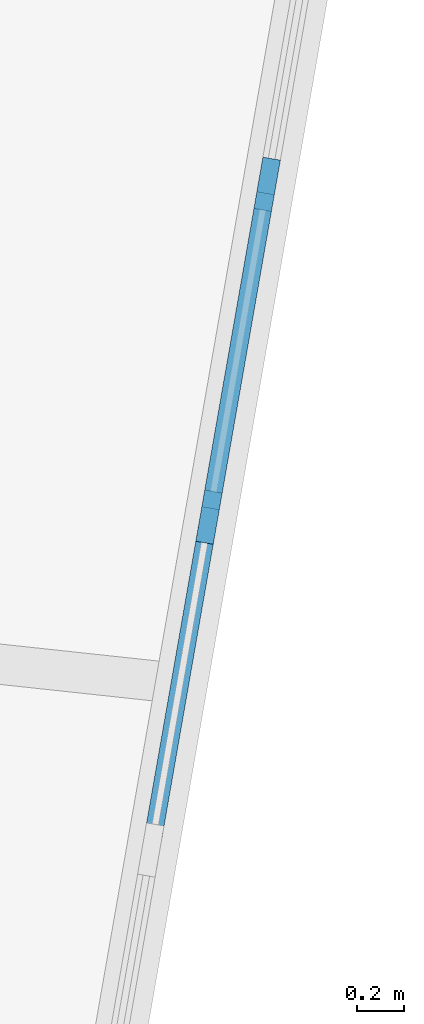
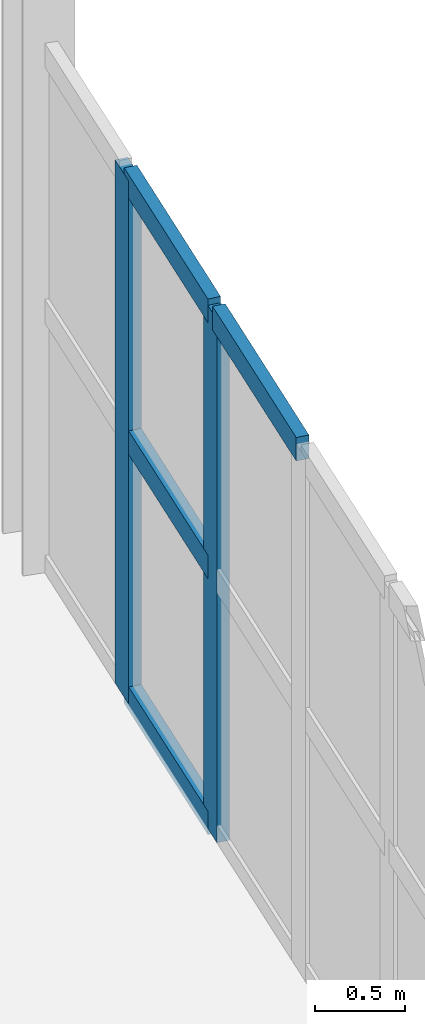
# One storey, part 55 of 161: 6 members, 1 element without a shape of its own.
"""IFC4 building model written with IfcOpenShell, lengths in metres."""

from ifc_helpers import new_model, si_unit, direction, frame, origin, origin_2d, place, context, subcontext, project, spatial, rectangle, extrude, material, material_profile, profile_set, type_object, element, aggregate, save


model = new_model("IFC4")

# Units and contexts
model_context = context("Model", 3, precision=1e-05, world=origin(), true_north=direction((0.0, 1.0)))
body_context = subcontext(model_context, "Body", "Model", "MODEL_VIEW")
ifc_project = project(units=[si_unit("LENGTHUNIT", "METRE"), si_unit("AREAUNIT", "SQUARE_METRE"), si_unit("VOLUMEUNIT", "CUBIC_METRE"), si_unit("PLANEANGLEUNIT", "RADIAN"), si_unit("MASSUNIT", "GRAM", prefix="KILO")], contexts=[model_context])

# Site, building, storey
site_placement = place(None, origin())
site = spatial("IfcSite", under=ifc_project, at=site_placement, CompositionType="ELEMENT")
building_placement = place(site_placement, origin())
building = spatial("IfcBuilding", under=site, at=building_placement, Name="Kildeholm Park Wholesale Market", CompositionType="ELEMENT")
storey_placement = place(building_placement, frame((0.0, 0.0, 5.39990234375)))
storey = spatial("IfcBuildingStorey", under=building, at=storey_placement, Name="L01", CompositionType="ELEMENT", Elevation=5.39990234375)

# Curtain wall, members
ifc_material_1 = material(Name="Anodised aluminium and low-E double-glazed glass", Category="aluminium")
curtain_wall_type = type_object("IfcCurtainWallType", Name="Market hall glazed arcade stick curtain wall CW-01", PredefinedType="NOTDEFINED", material=ifc_material_1)
curtain_wall_placement = place(storey_placement, origin())
curtain_wall = element("IfcCurtainWall", 1, at=curtain_wall_placement, inside=storey, type_object=curtain_wall_type, Name="Curtain wall CW-V1-IN1-11 CW-0057", PredefinedType="NOTDEFINED")
ifc_material_2 = material(Name="Anodised aluminium", Category="aluminium")
ifc_material_profile_1 = material_profile(ifc_material_2, rectangle(XDim=0.074951171875, YDim=0.219970703125, at=origin_2d()), Name="CWM 75x220")
ifc_profile_set_1 = profile_set([ifc_material_profile_1], Name="Anodised aluminium")
member_type_1 = type_object("IfcMemberType", Name="Curtain-wall mullion CWM-2 CWM 75x220", PredefinedType="MULLION", material=ifc_profile_set_1)
member_1_placement = place(storey_placement, frame((63.48388671875, 95.171142578125, 0.0), z_axis=(0.0, 0.0, 1.0), x_axis=(0.985073802851, -0.172132515628, 0.0)))
member_1 = element("IfcMember", 2, at=member_1_placement, type_object=member_type_1, Name="CW-01 mullion 2 MEM-1955", PredefinedType="MULLION", context=body_context, shape_type="SweptSolid", body=[
    extrude(rectangle(XDim=0.074951171875, YDim=0.219970703125, at=origin_2d()), origin(), (0.0, 0.0, 1.0), 3.550048828125),
])
member_2_placement = place(storey_placement, frame((63.238037109375, 93.763427734375, 0.0), z_axis=(0.0, 0.0, 1.0), x_axis=(0.985073802851, -0.172132515628, 0.0)))
member_2 = element("IfcMember", 3, at=member_2_placement, type_object=member_type_1, Name="CW-01 mullion 3 MEM-1956", PredefinedType="MULLION", context=body_context, shape_type="SweptSolid", body=[
    extrude(rectangle(XDim=0.074951171875, YDim=0.219970703125, at=origin_2d()), origin(), (0.0, 0.0, 1.0), 3.550048828125),
])
ifc_material_profile_2 = material_profile(ifc_material_2, rectangle(XDim=0.074951171875, YDim=0.159912109375, at=origin_2d()), Name="CWT 75x160")
ifc_profile_set_2 = profile_set([ifc_material_profile_2], Name="Anodised aluminium")
member_type_2 = type_object("IfcMemberType", Name="Curtain-wall transom CWT-2 CWT 75x160", PredefinedType="USERDEFINED", material=ifc_profile_set_2)
member_3_placement = place(storey_placement, frame((63.4775390625, 95.13427734375, 0.03759765625), z_axis=(-0.17217041658, -0.98506717926, 0.0), x_axis=(0.98506717926, -0.17217041658, 0.0)))
member_3 = element("IfcMember", 4, at=member_3_placement, type_object=member_type_2, Name="CW-01 transom 2.1 MEM-1963", ObjectType="TRANSOM", PredefinedType="USERDEFINED", context=body_context, shape_type="SweptSolid", body=[
    extrude(rectangle(XDim=0.074951171875, YDim=0.159912109375, at=origin_2d()), origin(), (0.0, 0.0, 1.0), 1.354248046875),
])
member_4_placement = place(storey_placement, frame((63.4775390625, 95.13427734375, 1.775146484375), z_axis=(-0.17217041658, -0.98506717926, 0.0), x_axis=(0.98506717926, -0.17217041658, 0.0)))
member_4 = element("IfcMember", 5, at=member_4_placement, type_object=member_type_2, Name="CW-01 transom 2.2 MEM-1964", ObjectType="TRANSOM", PredefinedType="USERDEFINED", context=body_context, shape_type="SweptSolid", body=[
    extrude(rectangle(XDim=0.074951171875, YDim=0.159912109375, at=origin_2d()), origin(), (0.0, 0.0, 1.0), 1.354248046875),
])
member_5_placement = place(storey_placement, frame((63.4775390625, 95.13427734375, 3.5126953125), z_axis=(-0.17217041658, -0.98506717926, 0.0), x_axis=(0.98506717926, -0.17217041658, 0.0)))
member_5 = element("IfcMember", 6, at=member_5_placement, type_object=member_type_2, Name="CW-01 transom 2.3 MEM-1965", ObjectType="TRANSOM", PredefinedType="USERDEFINED", context=body_context, shape_type="SweptSolid", body=[
    extrude(rectangle(XDim=0.074951171875, YDim=0.159912109375, at=origin_2d()), origin(), (0.0, 0.0, 1.0), 1.354248046875),
])
member_6_placement = place(storey_placement, frame((63.2314453125, 93.7265625, 3.5126953125), z_axis=(-0.17199546935, -0.985097740594, 0.0), x_axis=(0.985097740594, -0.17199546935, 0.0)))
member_6 = element("IfcMember", 7, at=member_6_placement, type_object=member_type_2, Name="CW-01 transom 3.3 MEM-1968", ObjectType="TRANSOM", PredefinedType="USERDEFINED", context=body_context, shape_type="SweptSolid", body=[
    extrude(rectangle(XDim=0.074951171875, YDim=0.159912109375, at=origin_2d()), origin(), (0.0, 0.0, 1.0), 1.354248046875),
])
aggregate(curtain_wall, [member_1, member_2, member_3, member_4, member_5, member_6])

save(model, "model.ifc")
